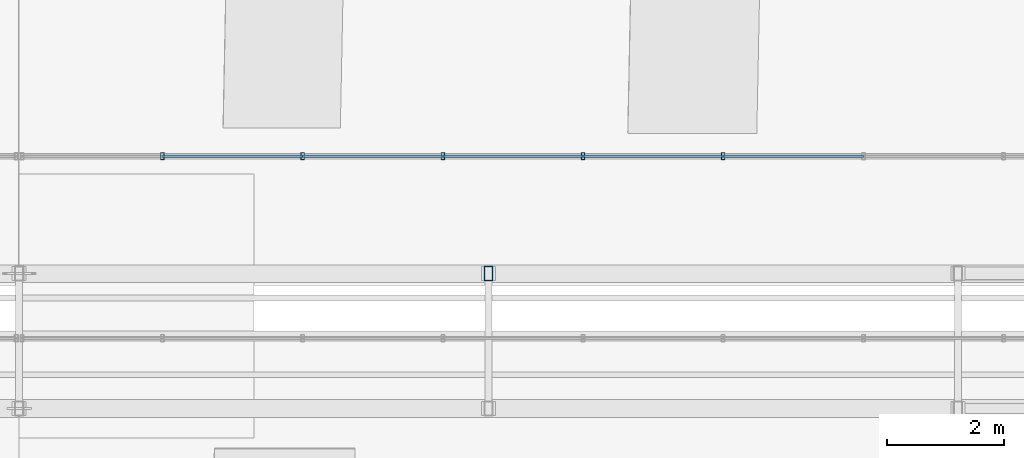
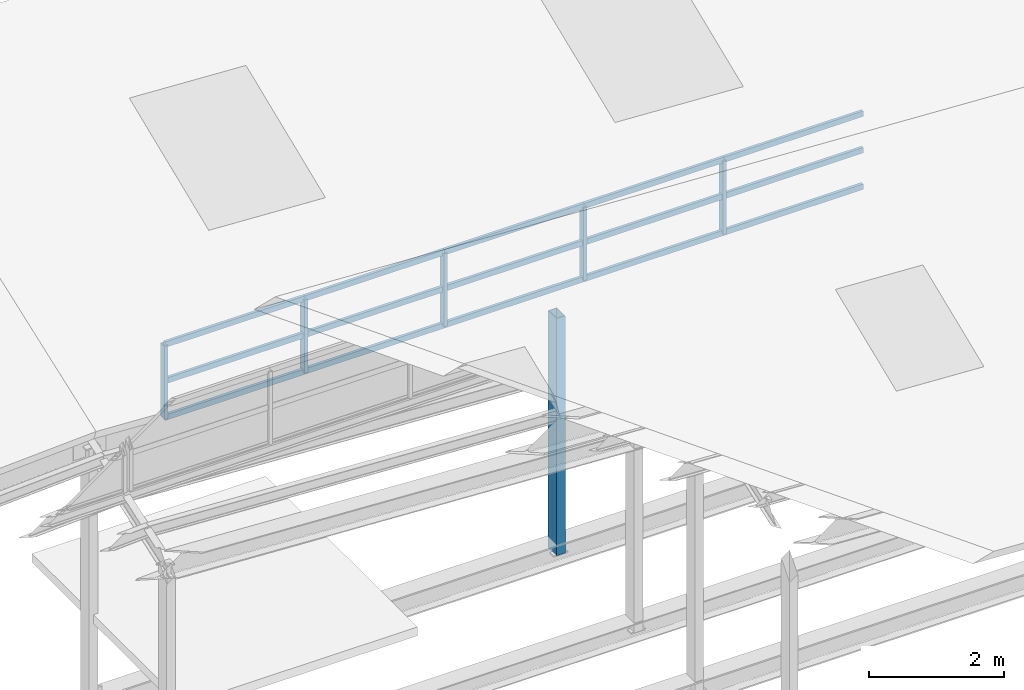
# One storey, part 123 of 141: 21 members, 1 element without a shape of its own.
"""IFC4 building model written with IfcOpenShell, lengths in metres."""

from ifc_helpers import new_model, si_unit, direction, frame, origin, origin_2d, place, context, subcontext, project, spatial, hollow_rectangle, extrude, material, material_profile, profile_set, type_object, element, aggregate, save


model = new_model("IFC4")

# Units and contexts
model_context = context("Model", 3, precision=1e-05, world=origin(), true_north=direction((0.0, 1.0)))
body_context = subcontext(model_context, "Body", "Model", "MODEL_VIEW")
ifc_project = project(units=[si_unit("LENGTHUNIT", "METRE"), si_unit("AREAUNIT", "SQUARE_METRE"), si_unit("VOLUMEUNIT", "CUBIC_METRE"), si_unit("PLANEANGLEUNIT", "RADIAN"), si_unit("MASSUNIT", "GRAM", prefix="KILO")], contexts=[model_context])

# Site, building, storey
site_placement = place(None, origin())
site = spatial("IfcSite", under=ifc_project, at=site_placement, CompositionType="ELEMENT")
building_placement = place(site_placement, origin())
building = spatial("IfcBuilding", under=site, at=building_placement, Name="Sundkrona Museum", CompositionType="ELEMENT")
storey_placement = place(building_placement, frame((0.0, 0.0, 34.0)))
storey = spatial("IfcBuildingStorey", under=building, at=storey_placement, Name="RF", CompositionType="ELEMENT", Elevation=34.0)

# Curtain wall, members
ifc_material_1 = material(Name="Unitised Aluminium-Steel and Ceramic-Clad Curtain Walling", Category="steel")
curtain_wall_type = type_object("IfcCurtainWallType", Name="CW-SW-240x13", PredefinedType="NOTDEFINED", material=ifc_material_1)
curtain_wall_placement = place(storey_placement, origin())
curtain_wall = element("IfcCurtainWall", 1, at=curtain_wall_placement, inside=storey, type_object=curtain_wall_type, Name="Sawtooth Bay 7 East North-Light Clerestory", PredefinedType="NOTDEFINED")
ifc_material_2 = material(Name="Aluminium EN AW-6060 T66", Category="aluminium")
ifc_material_profile_1 = material_profile(ifc_material_2, hollow_rectangle(XDim=0.06005859375, YDim=0.1201171875, WallThickness=0.0048828125, at=origin_2d()), Name="RHS 120x60x5.0")
ifc_profile_set_1 = profile_set([ifc_material_profile_1], Name="Aluminium EN AW-6060 T66")
member_type_1 = type_object("IfcMemberType", Name="ML-120", PredefinedType="MULLION", material=ifc_profile_set_1)
member_1_placement = place(storey_placement, frame((146.43994140625, 45.800048828125, 2.89306640625), z_axis=(0.0, 0.0, 1.0), x_axis=(1.0, 0.0, 0.0)))
member_1 = element("IfcMember", 2, at=member_1_placement, type_object=member_type_1, Name="CW-RF-SAW-07E Mullion 02", PredefinedType="MULLION", context=body_context, shape_type="SweptSolid", body=[
    extrude(hollow_rectangle(XDim=0.06005859375, YDim=0.1201171875, WallThickness=0.0048828125, at=origin_2d()), origin(), (0.0, 0.0, 1.0), 1.31982421875),
])
member_2_placement = place(storey_placement, frame((148.830078125, 45.800048828125, 2.89306640625), z_axis=(0.0, 0.0, 1.0), x_axis=(1.0, 0.0, 0.0)))
member_2 = element("IfcMember", 3, at=member_2_placement, type_object=member_type_1, Name="CW-RF-SAW-07E Mullion 03", PredefinedType="MULLION", context=body_context, shape_type="SweptSolid", body=[
    extrude(hollow_rectangle(XDim=0.06005859375, YDim=0.1201171875, WallThickness=0.0048828125, at=origin_2d()), origin(), (0.0, 0.0, 1.0), 1.31982421875),
])
member_3_placement = place(storey_placement, frame((151.219970703125, 45.800048828125, 2.89306640625), z_axis=(0.0, 0.0, 1.0), x_axis=(1.0, 0.0, 0.0)))
member_3 = element("IfcMember", 4, at=member_3_placement, type_object=member_type_1, Name="CW-RF-SAW-07E Mullion 04", PredefinedType="MULLION", context=body_context, shape_type="SweptSolid", body=[
    extrude(hollow_rectangle(XDim=0.06005859375, YDim=0.1201171875, WallThickness=0.0048828125, at=origin_2d()), origin(), (0.0, 0.0, 1.0), 1.31982421875),
])
member_4_placement = place(storey_placement, frame((153.610107421875, 45.800048828125, 2.89306640625), z_axis=(0.0, 0.0, 1.0), x_axis=(1.0, 0.0, 0.0)))
member_4 = element("IfcMember", 5, at=member_4_placement, type_object=member_type_1, Name="CW-RF-SAW-07E Mullion 05", PredefinedType="MULLION", context=body_context, shape_type="SweptSolid", body=[
    extrude(hollow_rectangle(XDim=0.06005859375, YDim=0.1201171875, WallThickness=0.0048828125, at=origin_2d()), origin(), (0.0, 0.0, 1.0), 1.31982421875),
])
member_5_placement = place(storey_placement, frame((156.0, 45.800048828125, 2.89306640625), z_axis=(0.0, 0.0, 1.0), x_axis=(1.0, 0.0, 0.0)))
member_5 = element("IfcMember", 6, at=member_5_placement, type_object=member_type_1, Name="CW-RF-SAW-07E Mullion 06", PredefinedType="MULLION", context=body_context, shape_type="SweptSolid", body=[
    extrude(hollow_rectangle(XDim=0.06005859375, YDim=0.1201171875, WallThickness=0.0048828125, at=origin_2d()), origin(), (0.0, 0.0, 1.0), 1.31982421875),
])

# Member
ifc_material_3 = material(Name="Steel S355J2", Category="steel")
ifc_material_profile_2 = material_profile(ifc_material_3, hollow_rectangle(XDim=0.14990234375, YDim=0.25, WallThickness=0.010009765625, at=origin_2d()), Name="RHS 250x150x10.0")
ifc_profile_set_2 = profile_set([ifc_material_profile_2], Name="Steel S355J2")
member_type_2 = type_object("IfcMemberType", Name="ST-RHS250", PredefinedType="STRUT", material=ifc_profile_set_2)
member_6_placement = place(storey_placement, frame((152.0, 43.800048828125, -0.25), z_axis=(0.0, 0.0, 1.0), x_axis=(1.0, 0.0, 0.0)))
element("IfcMember", 7, at=member_6_placement, inside=storey, type_object=member_type_2, Name="RFS-1 Sawtooth Truss 7 Vertical Post 5", PredefinedType="STRUT", context=body_context, shape_type="SweptSolid", body=[
    extrude(hollow_rectangle(XDim=0.14990234375, YDim=0.25, WallThickness=0.010009765625, at=origin_2d()), origin(), (0.0, 0.0, 1.0), 4.290771484375),
])

ifc_material_profile_3 = material_profile(ifc_material_2, hollow_rectangle(XDim=0.050048828125, YDim=0.10009765625, WallThickness=0.0048828125, at=origin_2d()), Name="RHS 100x50x5.0")
ifc_profile_set_3 = profile_set([ifc_material_profile_3], Name="Aluminium EN AW-6060 T66")
member_type_3 = type_object("IfcMemberType", Name="TR-100", PredefinedType="USERDEFINED", material=ifc_profile_set_3)
member_7_placement = place(storey_placement, frame((146.43994140625, 45.800048828125, 2.89306640625), z_axis=(1.0, 0.0, 0.0), x_axis=(0.0, 1.0, 0.0)))
member_7 = element("IfcMember", 8, at=member_7_placement, type_object=member_type_3, Name="CW-RF-SAW-07E Transom 04", ObjectType="TRANSOM", PredefinedType="USERDEFINED", context=body_context, shape_type="SweptSolid", body=[
    extrude(hollow_rectangle(XDim=0.050048828125, YDim=0.10009765625, WallThickness=0.0048828125, at=origin_2d()), origin(), (0.0, 0.0, 1.0), 2.39013671875),
])

member_8_placement = place(storey_placement, frame((146.43994140625, 45.800048828125, 3.552978515625), z_axis=(1.0, 0.0, 0.0), x_axis=(0.0, 1.0, 0.0)))
member_8 = element("IfcMember", 9, at=member_8_placement, type_object=member_type_3, Name="CW-RF-SAW-07E Transom 05", ObjectType="TRANSOM", PredefinedType="USERDEFINED", context=body_context, shape_type="SweptSolid", body=[
    extrude(hollow_rectangle(XDim=0.050048828125, YDim=0.10009765625, WallThickness=0.0048828125, at=origin_2d()), origin(), (0.0, 0.0, 1.0), 2.39013671875),
])

member_9_placement = place(storey_placement, frame((146.43994140625, 45.800048828125, 4.212890625), z_axis=(1.0, 0.0, 0.0), x_axis=(0.0, 1.0, 0.0)))
member_9 = element("IfcMember", 10, at=member_9_placement, type_object=member_type_3, Name="CW-RF-SAW-07E Transom 06", ObjectType="TRANSOM", PredefinedType="USERDEFINED", context=body_context, shape_type="SweptSolid", body=[
    extrude(hollow_rectangle(XDim=0.050048828125, YDim=0.10009765625, WallThickness=0.0048828125, at=origin_2d()), origin(), (0.0, 0.0, 1.0), 2.39013671875),
])

member_10_placement = place(storey_placement, frame((148.830078125, 45.800048828125, 2.89306640625), z_axis=(1.0, 0.0, 0.0), x_axis=(0.0, 1.0, 0.0)))
member_10 = element("IfcMember", 11, at=member_10_placement, type_object=member_type_3, Name="CW-RF-SAW-07E Transom 07", ObjectType="TRANSOM", PredefinedType="USERDEFINED", context=body_context, shape_type="SweptSolid", body=[
    extrude(hollow_rectangle(XDim=0.050048828125, YDim=0.10009765625, WallThickness=0.0048828125, at=origin_2d()), origin(), (0.0, 0.0, 1.0), 2.389892578125),
])

member_11_placement = place(storey_placement, frame((148.830078125, 45.800048828125, 3.552978515625), z_axis=(1.0, 0.0, 0.0), x_axis=(0.0, 1.0, 0.0)))
member_11 = element("IfcMember", 12, at=member_11_placement, type_object=member_type_3, Name="CW-RF-SAW-07E Transom 08", ObjectType="TRANSOM", PredefinedType="USERDEFINED", context=body_context, shape_type="SweptSolid", body=[
    extrude(hollow_rectangle(XDim=0.050048828125, YDim=0.10009765625, WallThickness=0.0048828125, at=origin_2d()), origin(), (0.0, 0.0, 1.0), 2.389892578125),
])

member_12_placement = place(storey_placement, frame((148.830078125, 45.800048828125, 4.212890625), z_axis=(1.0, 0.0, 0.0), x_axis=(0.0, 1.0, 0.0)))
member_12 = element("IfcMember", 13, at=member_12_placement, type_object=member_type_3, Name="CW-RF-SAW-07E Transom 09", ObjectType="TRANSOM", PredefinedType="USERDEFINED", context=body_context, shape_type="SweptSolid", body=[
    extrude(hollow_rectangle(XDim=0.050048828125, YDim=0.10009765625, WallThickness=0.0048828125, at=origin_2d()), origin(), (0.0, 0.0, 1.0), 2.389892578125),
])

member_13_placement = place(storey_placement, frame((151.219970703125, 45.800048828125, 2.89306640625), z_axis=(1.0, 0.0, 0.0), x_axis=(0.0, 1.0, 0.0)))
member_13 = element("IfcMember", 14, at=member_13_placement, type_object=member_type_3, Name="CW-RF-SAW-07E Transom 10", ObjectType="TRANSOM", PredefinedType="USERDEFINED", context=body_context, shape_type="SweptSolid", body=[
    extrude(hollow_rectangle(XDim=0.050048828125, YDim=0.10009765625, WallThickness=0.0048828125, at=origin_2d()), origin(), (0.0, 0.0, 1.0), 2.39013671875),
])

member_14_placement = place(storey_placement, frame((151.219970703125, 45.800048828125, 3.552978515625), z_axis=(1.0, 0.0, 0.0), x_axis=(0.0, 1.0, 0.0)))
member_14 = element("IfcMember", 15, at=member_14_placement, type_object=member_type_3, Name="CW-RF-SAW-07E Transom 11", ObjectType="TRANSOM", PredefinedType="USERDEFINED", context=body_context, shape_type="SweptSolid", body=[
    extrude(hollow_rectangle(XDim=0.050048828125, YDim=0.10009765625, WallThickness=0.0048828125, at=origin_2d()), origin(), (0.0, 0.0, 1.0), 2.39013671875),
])

member_15_placement = place(storey_placement, frame((151.219970703125, 45.800048828125, 4.212890625), z_axis=(1.0, 0.0, 0.0), x_axis=(0.0, 1.0, 0.0)))
member_15 = element("IfcMember", 16, at=member_15_placement, type_object=member_type_3, Name="CW-RF-SAW-07E Transom 12", ObjectType="TRANSOM", PredefinedType="USERDEFINED", context=body_context, shape_type="SweptSolid", body=[
    extrude(hollow_rectangle(XDim=0.050048828125, YDim=0.10009765625, WallThickness=0.0048828125, at=origin_2d()), origin(), (0.0, 0.0, 1.0), 2.39013671875),
])

member_16_placement = place(storey_placement, frame((153.610107421875, 45.800048828125, 2.89306640625), z_axis=(1.0, 0.0, 0.0), x_axis=(0.0, 1.0, 0.0)))
member_16 = element("IfcMember", 17, at=member_16_placement, type_object=member_type_3, Name="CW-RF-SAW-07E Transom 13", ObjectType="TRANSOM", PredefinedType="USERDEFINED", context=body_context, shape_type="SweptSolid", body=[
    extrude(hollow_rectangle(XDim=0.050048828125, YDim=0.10009765625, WallThickness=0.0048828125, at=origin_2d()), origin(), (0.0, 0.0, 1.0), 2.389892578125),
])

member_17_placement = place(storey_placement, frame((153.610107421875, 45.800048828125, 3.552978515625), z_axis=(1.0, 0.0, 0.0), x_axis=(0.0, 1.0, 0.0)))
member_17 = element("IfcMember", 18, at=member_17_placement, type_object=member_type_3, Name="CW-RF-SAW-07E Transom 14", ObjectType="TRANSOM", PredefinedType="USERDEFINED", context=body_context, shape_type="SweptSolid", body=[
    extrude(hollow_rectangle(XDim=0.050048828125, YDim=0.10009765625, WallThickness=0.0048828125, at=origin_2d()), origin(), (0.0, 0.0, 1.0), 2.389892578125),
])

member_18_placement = place(storey_placement, frame((153.610107421875, 45.800048828125, 4.212890625), z_axis=(1.0, 0.0, 0.0), x_axis=(0.0, 1.0, 0.0)))
member_18 = element("IfcMember", 19, at=member_18_placement, type_object=member_type_3, Name="CW-RF-SAW-07E Transom 15", ObjectType="TRANSOM", PredefinedType="USERDEFINED", context=body_context, shape_type="SweptSolid", body=[
    extrude(hollow_rectangle(XDim=0.050048828125, YDim=0.10009765625, WallThickness=0.0048828125, at=origin_2d()), origin(), (0.0, 0.0, 1.0), 2.389892578125),
])

member_19_placement = place(storey_placement, frame((156.0, 45.800048828125, 2.89306640625), z_axis=(1.0, 0.0, 0.0), x_axis=(0.0, 1.0, 0.0)))
member_19 = element("IfcMember", 20, at=member_19_placement, type_object=member_type_3, Name="CW-RF-SAW-07E Transom 16", ObjectType="TRANSOM", PredefinedType="USERDEFINED", context=body_context, shape_type="SweptSolid", body=[
    extrude(hollow_rectangle(XDim=0.050048828125, YDim=0.10009765625, WallThickness=0.0048828125, at=origin_2d()), origin(), (0.0, 0.0, 1.0), 2.389892578125),
])

member_20_placement = place(storey_placement, frame((156.0, 45.800048828125, 3.552978515625), z_axis=(1.0, 0.0, 0.0), x_axis=(0.0, 1.0, 0.0)))
member_20 = element("IfcMember", 21, at=member_20_placement, type_object=member_type_3, Name="CW-RF-SAW-07E Transom 17", ObjectType="TRANSOM", PredefinedType="USERDEFINED", context=body_context, shape_type="SweptSolid", body=[
    extrude(hollow_rectangle(XDim=0.050048828125, YDim=0.10009765625, WallThickness=0.0048828125, at=origin_2d()), origin(), (0.0, 0.0, 1.0), 2.389892578125),
])

member_21_placement = place(storey_placement, frame((156.0, 45.800048828125, 4.212890625), z_axis=(1.0, 0.0, 0.0), x_axis=(0.0, 1.0, 0.0)))
member_21 = element("IfcMember", 22, at=member_21_placement, type_object=member_type_3, Name="CW-RF-SAW-07E Transom 18", ObjectType="TRANSOM", PredefinedType="USERDEFINED", context=body_context, shape_type="SweptSolid", body=[
    extrude(hollow_rectangle(XDim=0.050048828125, YDim=0.10009765625, WallThickness=0.0048828125, at=origin_2d()), origin(), (0.0, 0.0, 1.0), 2.389892578125),
])

aggregate(curtain_wall, [member_1, member_2, member_3, member_4, member_5, member_7, member_8, member_9, member_10, member_11, member_12, member_13, member_14, member_15, member_16, member_17, member_18, member_19, member_20, member_21])

save(model, "model.ifc")
